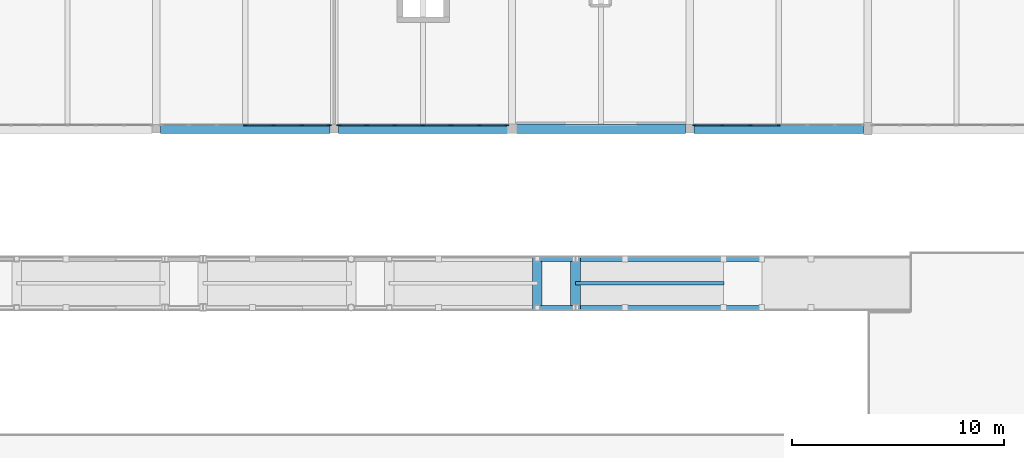
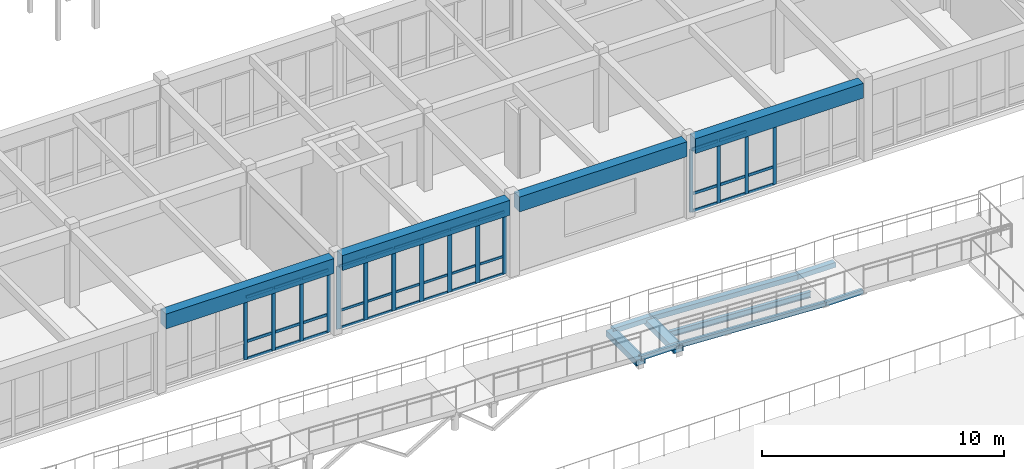
# One storey, part 43 of 89: 56 members, 7 beams, 3 elements without a shape of their own.
"""IFC4 building model written with IfcOpenShell, lengths in metres."""

import ifcopenshell
import ifcopenshell.guid

model = None  # the IFC model being written
_history = None  # IfcOwnerHistory: only IFC2X3 demands one
_inside = {}  # id of a spatial element -> (the spatial element, [elements in it])
_under = {}  # id of a project, library or spatial element -> (it, [spatial elements below it])
_declared = {}  # id of a project -> (the project, [libraries it declares])
_typed = {}  # id of a type object -> (the type object, [elements of that type])
_made_of = {}  # id of a material, layer set ... -> (it, [elements and type objects made of it])


def new_model(schema):
    """Start an empty IFC model of exactly this schema.

    Asked for "IFC4X3", IfcOpenShell would pick the latest addendum, in which some entities
    have other attributes; the version numbers below select the first issue.
    IFC2X3 requires an IfcOwnerHistory on every rooted entity: one is made here for all.
    """
    global model, _history
    if schema == "IFC4X3":
        model = ifcopenshell.file(schema_version=(4, 3, 0, 0))
    else:
        model = ifcopenshell.file(schema=schema)
    _inside.clear()
    _under.clear()
    _declared.clear()
    _typed.clear()
    _made_of.clear()
    _history = None
    if model.schema == "IFC2X3":
        org = make("IfcOrganization", Name="unknown")
        user = make(
            "IfcPersonAndOrganization",
            ThePerson=make("IfcPerson", FamilyName="unknown"),
            TheOrganization=org,
        )
        app = make(
            "IfcApplication",
            ApplicationDeveloper=org,
            Version="unknown",
            ApplicationFullName="unknown",
            ApplicationIdentifier="unknown",
        )
        _history = make(
            "IfcOwnerHistory",
            OwningUser=user,
            OwningApplication=app,
            ChangeAction="ADDED",
            CreationDate=0,
        )
    return model


def make(cls, **values):
    """One entity of the class cls with the attributes given. An attribute that is None is left unset."""
    return model.create_entity(
        cls, **{name: value for name, value in values.items() if value is not None}
    )


def rooted(cls, **values):
    """An entity with a GlobalId (a new one), such as an element, a storey or a relation."""
    return make(cls, GlobalId=ifcopenshell.guid.new(), OwnerHistory=_history, **values)


def si_unit(unit_type, name, prefix=None):
    """IfcSIUnit, for example si_unit("LENGTHUNIT", "METRE", prefix="MILLI")."""
    return make("IfcSIUnit", UnitType=unit_type, Prefix=prefix, Name=name)


def assignment(units):
    """IfcUnitAssignment: the units of a project."""
    return None if units is None else make("IfcUnitAssignment", Units=units)


def point(xyz):
    """IfcCartesianPoint."""
    return None if xyz is None else make("IfcCartesianPoint", Coordinates=xyz)


def direction(xyz):
    """IfcDirection."""
    return None if xyz is None else make("IfcDirection", DirectionRatios=xyz)


def frame(location, z_axis=None, x_axis=None):
    """IfcAxis2Placement3D, a coordinate frame: its origin and axes. An axis left out is left unset."""
    return make(
        "IfcAxis2Placement3D",
        Location=point(location),
        Axis=direction(z_axis),
        RefDirection=direction(x_axis),
    )


def frame_2d(location, x_axis=None):
    """IfcAxis2Placement2D, a coordinate frame in the plane: its origin and x axis."""
    return make(
        "IfcAxis2Placement2D", Location=point(location), RefDirection=direction(x_axis)
    )


def origin():
    """The frame at (0, 0, 0) with its axes left unset."""
    return frame((0.0, 0.0, 0.0))


def origin_2d():
    """The frame at (0, 0) in the plane with its x axis left unset."""
    return frame_2d((0.0, 0.0))


def place(relative_to, where):
    """IfcLocalPlacement: puts the frame where relative to a parent placement (None: the world)."""
    return make(
        "IfcLocalPlacement", PlacementRelTo=relative_to, RelativePlacement=where
    )


def context(
    kind, dimensions, precision=None, world=None, true_north=None, identifier=None
):
    """IfcGeometricRepresentationContext, for example the 3D "Model" context."""
    return make(
        "IfcGeometricRepresentationContext",
        ContextIdentifier=identifier,
        ContextType=kind,
        CoordinateSpaceDimension=dimensions,
        Precision=precision,
        WorldCoordinateSystem=world,
        TrueNorth=true_north,
    )


def subcontext(parent, identifier, kind, view, scale=None):
    """IfcGeometricRepresentationSubContext, for example "Body" below "Model"."""
    return make(
        "IfcGeometricRepresentationSubContext",
        ContextIdentifier=identifier,
        ContextType=kind,
        ParentContext=parent,
        TargetScale=scale,
        TargetView=view,
    )


def project(units=None, contexts=None):
    """IfcProject with its units and contexts."""
    return rooted(
        "IfcProject",
        Name="project",
        RepresentationContexts=contexts,
        UnitsInContext=assignment(units),
    )


def spatial(cls, under=None, at=None, **own):
    """A site, building, storey or space (cls), placed at a placement, below another one or the project."""
    s = rooted(cls, ObjectPlacement=at, **own)
    if under is not None:
        _under.setdefault(under.id(), (under, []))[1].append(s)
    return s


def profile(cls, at=None, kind="AREA", **sizes):
    """A parametric profile (cls). Its sizes go by their IFC names, for example OverallWidth=200.0."""
    return make(cls, ProfileType=kind, Position=at, **sizes)


def rectangle(**sizes):
    """IfcRectangleProfileDef."""
    return profile("IfcRectangleProfileDef", **sizes)


def hollow_rectangle(**sizes):
    """IfcRectangleHollowProfileDef."""
    return profile("IfcRectangleHollowProfileDef", **sizes)


def i_section(**sizes):
    """IfcIShapeProfileDef."""
    return profile("IfcIShapeProfileDef", **sizes)


def extrude(swept, where, along, depth):
    """IfcExtrudedAreaSolid: the profile swept, set in the frame where, extruded along a direction by depth."""
    return make(
        "IfcExtrudedAreaSolid",
        SweptArea=swept,
        Position=where,
        ExtrudedDirection=direction(along),
        Depth=depth,
    )


def shape(context_of_items, identifier, shape_type, items):
    """IfcShapeRepresentation: the items that make up one representation, for example the "Body"."""
    return make(
        "IfcShapeRepresentation",
        ContextOfItems=context_of_items,
        RepresentationIdentifier=identifier,
        RepresentationType=shape_type,
        Items=items,
    )


def material(Name=None, Category=None):
    """IfcMaterial."""
    return make("IfcMaterial", Name=Name, Category=Category)


def material_profile(
    of_material, cross_section, Name=None, Category=None, Priority=None
):
    """IfcMaterialProfile: a cross section and its material."""
    return make(
        "IfcMaterialProfile",
        Name=Name,
        Material=of_material,
        Profile=cross_section,
        Priority=Priority,
        Category=Category,
    )


def profile_set(profiles, Name=None, composite=None):
    """IfcMaterialProfileSet."""
    return make(
        "IfcMaterialProfileSet",
        Name=Name,
        MaterialProfiles=profiles,
        CompositeProfile=composite,
    )


def made_of(thing, what):
    """Note that an element or type object is made of a material, layer set ...; save() writes the relation."""
    if what is not None:
        _made_of.setdefault(what.id(), (what, []))[1].append(thing)
    return thing


def type_object(cls, material=None, **own):
    """A type object (cls), such as IfcWallType, which elements share."""
    return made_of(rooted(cls, **own), material)


def element(
    cls,
    number,
    at=None,
    inside=None,
    cuts=None,
    type_object=None,
    material=None,
    context=None,
    identifier="Body",
    shape_type=None,
    held_by="IfcProductDefinitionShape",
    body=None,
    shapes=None,
    **own,
):
    """One element of the class cls, such as IfcWall. Its Tag is "e" and its number.

    at: its placement. inside: the storey or other place that contains it. cuts: it is an
    opening in that element (IfcRelVoidsElement). A single representation is given by context,
    identifier, shape_type and body (its items); several are given by shapes. held_by: the class
    of the entity that holds the representations. save() writes the other relations.
    """
    e = rooted(cls, Tag="e%d" % number, ObjectPlacement=at, **own)
    if body is not None:
        shapes = [shape(context, identifier, shape_type, body)]
    if shapes is not None:
        e.Representation = make(held_by, Representations=shapes)
    if inside is not None:
        _inside.setdefault(inside.id(), (inside, []))[1].append(e)
    if cuts is not None:
        rooted(
            "IfcRelVoidsElement", RelatingBuildingElement=cuts, RelatedOpeningElement=e
        )
    if type_object is not None:
        _typed.setdefault(type_object.id(), (type_object, []))[1].append(e)
    return made_of(e, material)


def aggregate(whole, parts):
    """IfcRelAggregates: a whole, such as a stair, and the parts it consists of."""
    return rooted("IfcRelAggregates", RelatingObject=whole, RelatedObjects=parts)


def save(model, path):
    """Write the relations noted so far, then the file.

    IfcRelAggregates (storeys below a building ...), IfcRelContainedInSpatialStructure (elements
    in a storey), IfcRelDefinesByType, IfcRelAssociatesMaterial and IfcRelDeclares: one each for
    every whole, place, type object, material and project.
    """
    for whole, parts in _under.values():
        aggregate(whole, parts)
    for where, things in _inside.values():
        rooted(
            "IfcRelContainedInSpatialStructure",
            RelatedElements=things,
            RelatingStructure=where,
        )
    for kind, things in _typed.values():
        rooted("IfcRelDefinesByType", RelatedObjects=things, RelatingType=kind)
    for what, things in _made_of.values():
        rooted("IfcRelAssociatesMaterial", RelatedObjects=things, RelatingMaterial=what)
    for by, libraries in _declared.values():
        rooted("IfcRelDeclares", RelatingContext=by, RelatedDefinitions=libraries)
    model.write(path)


model = new_model("IFC4")

# Units and contexts
model_context = context("Model", 3, precision=1e-05, world=origin(), true_north=direction((0.0, 1.0)))
body_context = subcontext(model_context, "Body", "Model", "MODEL_VIEW")
ifc_project = project(units=[si_unit("LENGTHUNIT", "METRE"), si_unit("AREAUNIT", "SQUARE_METRE"), si_unit("VOLUMEUNIT", "CUBIC_METRE"), si_unit("PLANEANGLEUNIT", "RADIAN"), si_unit("MASSUNIT", "GRAM", prefix="KILO")], contexts=[model_context])

# Site, building, storey
site_placement = place(None, origin())
site = spatial("IfcSite", under=ifc_project, at=site_placement, CompositionType="ELEMENT")
building_placement = place(site_placement, origin())
building = spatial("IfcBuilding", under=site, at=building_placement, Name="Malvenik Polytechnic", CompositionType="ELEMENT")
storey_placement = place(building_placement, frame((0.0, 0.0, 13.5)))
storey = spatial("IfcBuildingStorey", under=building, at=storey_placement, Name="L03", CompositionType="ELEMENT", Elevation=13.5)

# Curtain wall, members
ifc_material_1 = material(Name="Anodised aluminium 6060-T6", Category="aluminium")
curtain_wall_type = type_object("IfcCurtainWallType", Name="ARC-CW-CW-02", PredefinedType="NOTDEFINED", material=ifc_material_1)
curtain_wall_1_placement = place(storey_placement, origin())
curtain_wall_1 = element("IfcCurtainWall", 1, at=curtain_wall_1_placement, inside=storey, type_object=curtain_wall_type, Name="Unitised Curtain Wall CW-02 L03 #194", PredefinedType="NOTDEFINED")
ifc_material_2 = material(Name="Anodised aluminium", Category="aluminium")
ifc_material_profile_1 = material_profile(ifc_material_2, rectangle(XDim=0.06005859375, YDim=0.159912109375, at=origin_2d()), Name="ALU MULLION 60x160")
ifc_profile_set_1 = profile_set([ifc_material_profile_1], Name="Anodised aluminium")
member_type_1 = type_object("IfcMemberType", Name="ARC-CWM-160", PredefinedType="MULLION", material=ifc_profile_set_1)
member_1_placement = place(storey_placement, frame((121.800048828125, 79.3701171875, 0.0), z_axis=(0.0, 0.0, 1.0), x_axis=(0.0, -1.0, 0.0)))
member_1 = element("IfcMember", 2, at=member_1_placement, type_object=member_type_1, Name="CW-02 mullion 4", PredefinedType="MULLION", context=body_context, shape_type="SweptSolid", body=[
    extrude(rectangle(XDim=0.06005859375, YDim=0.159912109375, at=origin_2d()), origin(), (0.0, 0.0, 1.0), 3.159912109375),
])
member_2_placement = place(storey_placement, frame((120.466064453125, 79.3701171875, 0.0), z_axis=(0.0, 0.0, 1.0), x_axis=(0.0, -1.0, 0.0)))
member_2 = element("IfcMember", 3, at=member_2_placement, type_object=member_type_1, Name="CW-02 mullion 5", PredefinedType="MULLION", context=body_context, shape_type="SweptSolid", body=[
    extrude(rectangle(XDim=0.06005859375, YDim=0.159912109375, at=origin_2d()), origin(), (0.0, 0.0, 1.0), 3.159912109375),
])
member_3_placement = place(storey_placement, frame((119.132080078125, 79.3701171875, 0.0), z_axis=(0.0, 0.0, 1.0), x_axis=(0.0, -1.0, 0.0)))
member_3 = element("IfcMember", 4, at=member_3_placement, type_object=member_type_1, Name="CW-02 mullion 6", PredefinedType="MULLION", context=body_context, shape_type="SweptSolid", body=[
    extrude(rectangle(XDim=0.06005859375, YDim=0.159912109375, at=origin_2d()), origin(), (0.0, 0.0, 1.0), 3.159912109375),
])
member_4_placement = place(storey_placement, frame((117.827880859375, 79.3701171875, 0.0), z_axis=(0.0, 0.0, 1.0), x_axis=(0.0, -1.0, 0.0)))
member_4 = element("IfcMember", 5, at=member_4_placement, type_object=member_type_1, Name="CW-02 mullion 7", PredefinedType="MULLION", context=body_context, shape_type="SweptSolid", body=[
    extrude(rectangle(XDim=0.06005859375, YDim=0.159912109375, at=origin_2d()), origin(), (0.0, 0.0, 1.0), 3.159912109375),
])

curtain_wall_2_placement = place(storey_placement, origin())
curtain_wall_2 = element("IfcCurtainWall", 6, at=curtain_wall_2_placement, inside=storey, type_object=curtain_wall_type, Name="Unitised Curtain Wall CW-02 L03 #196", PredefinedType="NOTDEFINED")
ifc_material_profile_2 = material_profile(ifc_material_2, rectangle(XDim=0.06005859375, YDim=0.179931640625, at=origin_2d()), Name="ALU MULLION 60x180")
ifc_profile_set_2 = profile_set([ifc_material_profile_2], Name="Anodised aluminium")
member_type_2 = type_object("IfcMemberType", Name="ARC-CWM-180", PredefinedType="MULLION", material=ifc_profile_set_2)
member_5_placement = place(storey_placement, frame((100.572021484375, 79.3701171875, 0.0), z_axis=(0.0, 0.0, 1.0), x_axis=(0.0, -1.0, 0.0)))
member_5 = element("IfcMember", 7, at=member_5_placement, type_object=member_type_2, Name="CW-02 mullion 1", PredefinedType="MULLION", context=body_context, shape_type="SweptSolid", body=[
    extrude(rectangle(XDim=0.06005859375, YDim=0.179931640625, at=origin_2d()), origin(), (0.0, 0.0, 1.0), 3.159912109375),
])
member_6_placement = place(storey_placement, frame((99.26806640625, 79.3701171875, 0.0), z_axis=(0.0, 0.0, 1.0), x_axis=(0.0, -1.0, 0.0)))
member_6 = element("IfcMember", 8, at=member_6_placement, type_object=member_type_2, Name="CW-02 mullion 2", PredefinedType="MULLION", context=body_context, shape_type="SweptSolid", body=[
    extrude(rectangle(XDim=0.06005859375, YDim=0.179931640625, at=origin_2d()), origin(), (0.0, 0.0, 1.0), 3.159912109375),
])
member_7_placement = place(storey_placement, frame((97.93408203125, 79.3701171875, 0.0), z_axis=(0.0, 0.0, 1.0), x_axis=(0.0, -1.0, 0.0)))
member_7 = element("IfcMember", 9, at=member_7_placement, type_object=member_type_2, Name="CW-02 mullion 3", PredefinedType="MULLION", context=body_context, shape_type="SweptSolid", body=[
    extrude(rectangle(XDim=0.06005859375, YDim=0.179931640625, at=origin_2d()), origin(), (0.0, 0.0, 1.0), 3.159912109375),
])
member_8_placement = place(storey_placement, frame((96.60009765625, 79.3701171875, 0.0), z_axis=(0.0, 0.0, 1.0), x_axis=(0.0, -1.0, 0.0)))
member_8 = element("IfcMember", 10, at=member_8_placement, type_object=member_type_2, Name="CW-02 mullion 4", PredefinedType="MULLION", context=body_context, shape_type="SweptSolid", body=[
    extrude(rectangle(XDim=0.06005859375, YDim=0.179931640625, at=origin_2d()), origin(), (0.0, 0.0, 1.0), 3.159912109375),
])

curtain_wall_3_placement = place(storey_placement, origin())
curtain_wall_3 = element("IfcCurtainWall", 11, at=curtain_wall_3_placement, inside=storey, type_object=curtain_wall_type, Name="Unitised Curtain Wall CW-02 L03 #195", PredefinedType="NOTDEFINED")
ifc_material_profile_3 = material_profile(ifc_material_2, rectangle(XDim=0.06005859375, YDim=0.199951171875, at=origin_2d()), Name="ALU MULLION 60x200")
ifc_profile_set_3 = profile_set([ifc_material_profile_3], Name="Anodised aluminium")
member_type_3 = type_object("IfcMemberType", Name="ARC-CWM-200", PredefinedType="MULLION", material=ifc_profile_set_3)
member_9_placement = place(storey_placement, frame((108.947021484375, 79.3701171875, 0.0), z_axis=(0.0, 0.0, 1.0), x_axis=(0.0, -1.0, 0.0)))
member_9 = element("IfcMember", 12, at=member_9_placement, type_object=member_type_3, Name="CW-02 mullion 1", PredefinedType="MULLION", context=body_context, shape_type="SweptSolid", body=[
    extrude(rectangle(XDim=0.06005859375, YDim=0.199951171875, at=origin_2d()), origin(), (0.0, 0.0, 1.0), 3.159912109375),
])
member_10_placement = place(storey_placement, frame((107.647216796875, 79.3701171875, 0.0), z_axis=(0.0, 0.0, 1.0), x_axis=(0.0, -1.0, 0.0)))
member_10 = element("IfcMember", 13, at=member_10_placement, type_object=member_type_3, Name="CW-02 mullion 2", PredefinedType="MULLION", context=body_context, shape_type="SweptSolid", body=[
    extrude(rectangle(XDim=0.06005859375, YDim=0.199951171875, at=origin_2d()), origin(), (0.0, 0.0, 1.0), 3.159912109375),
])
member_11_placement = place(storey_placement, frame((106.3173828125, 79.3701171875, 0.0), z_axis=(0.0, 0.0, 1.0), x_axis=(0.0, -1.0, 0.0)))
member_11 = element("IfcMember", 14, at=member_11_placement, type_object=member_type_3, Name="CW-02 mullion 3", PredefinedType="MULLION", context=body_context, shape_type="SweptSolid", body=[
    extrude(rectangle(XDim=0.06005859375, YDim=0.199951171875, at=origin_2d()), origin(), (0.0, 0.0, 1.0), 3.159912109375),
])
member_12_placement = place(storey_placement, frame((104.987548828125, 79.3701171875, 0.0), z_axis=(0.0, 0.0, 1.0), x_axis=(0.0, -1.0, 0.0)))
member_12 = element("IfcMember", 15, at=member_12_placement, type_object=member_type_3, Name="CW-02 mullion 4", PredefinedType="MULLION", context=body_context, shape_type="SweptSolid", body=[
    extrude(rectangle(XDim=0.06005859375, YDim=0.199951171875, at=origin_2d()), origin(), (0.0, 0.0, 1.0), 3.159912109375),
])
member_13_placement = place(storey_placement, frame((103.65771484375, 79.3701171875, 0.0), z_axis=(0.0, 0.0, 1.0), x_axis=(0.0, -1.0, 0.0)))
member_13 = element("IfcMember", 16, at=member_13_placement, type_object=member_type_3, Name="CW-02 mullion 5", PredefinedType="MULLION", context=body_context, shape_type="SweptSolid", body=[
    extrude(rectangle(XDim=0.06005859375, YDim=0.199951171875, at=origin_2d()), origin(), (0.0, 0.0, 1.0), 3.159912109375),
])
member_14_placement = place(storey_placement, frame((102.327880859375, 79.3701171875, 0.0), z_axis=(0.0, 0.0, 1.0), x_axis=(0.0, -1.0, 0.0)))
member_14 = element("IfcMember", 17, at=member_14_placement, type_object=member_type_3, Name="CW-02 mullion 6", PredefinedType="MULLION", context=body_context, shape_type="SweptSolid", body=[
    extrude(rectangle(XDim=0.06005859375, YDim=0.199951171875, at=origin_2d()), origin(), (0.0, 0.0, 1.0), 3.159912109375),
])
member_15_placement = place(storey_placement, frame((101.028076171875, 79.3701171875, 0.0), z_axis=(0.0, 0.0, 1.0), x_axis=(0.0, -1.0, 0.0)))
member_15 = element("IfcMember", 18, at=member_15_placement, type_object=member_type_3, Name="CW-02 mullion 7", PredefinedType="MULLION", context=body_context, shape_type="SweptSolid", body=[
    extrude(rectangle(XDim=0.06005859375, YDim=0.199951171875, at=origin_2d()), origin(), (0.0, 0.0, 1.0), 3.159912109375),
])
ifc_material_profile_4 = material_profile(ifc_material_2, rectangle(XDim=0.06005859375, YDim=0.1201171875, at=origin_2d()), Name="ALU TRANSOM 60x120")
ifc_profile_set_4 = profile_set([ifc_material_profile_4], Name="Anodised aluminium")
member_type_4 = type_object("IfcMemberType", Name="ARC-CWT-120", PredefinedType="USERDEFINED", material=ifc_profile_set_4)
member_16_placement = place(storey_placement, frame((108.9169921875, 79.3701171875, 0.030029296875), z_axis=(-1.0, 0.0, 0.0), x_axis=(0.0, -1.0, 0.0)))
member_16 = element("IfcMember", 19, at=member_16_placement, type_object=member_type_4, Name="CW-02 transom 1.1", ObjectType="TRANSOM", PredefinedType="USERDEFINED", context=body_context, shape_type="SweptSolid", body=[
    extrude(rectangle(XDim=0.06005859375, YDim=0.1201171875, at=origin_2d()), origin(), (0.0, 0.0, 1.0), 1.23974609375),
])
member_17_placement = place(storey_placement, frame((108.9169921875, 79.3701171875, 0.89990234375), z_axis=(-1.0, 0.0, 0.0), x_axis=(0.0, -1.0, 0.0)))
member_17 = element("IfcMember", 20, at=member_17_placement, type_object=member_type_4, Name="CW-02 transom 1.2", ObjectType="TRANSOM", PredefinedType="USERDEFINED", context=body_context, shape_type="SweptSolid", body=[
    extrude(rectangle(XDim=0.06005859375, YDim=0.1201171875, at=origin_2d()), origin(), (0.0, 0.0, 1.0), 1.23974609375),
])
member_18_placement = place(storey_placement, frame((108.9169921875, 79.3701171875, 3.1298828125), z_axis=(-1.0, 0.0, 0.0), x_axis=(0.0, -1.0, 0.0)))
member_18 = element("IfcMember", 21, at=member_18_placement, type_object=member_type_4, Name="CW-02 transom 1.3", ObjectType="TRANSOM", PredefinedType="USERDEFINED", context=body_context, shape_type="SweptSolid", body=[
    extrude(rectangle(XDim=0.06005859375, YDim=0.1201171875, at=origin_2d()), origin(), (0.0, 0.0, 1.0), 1.23974609375),
])
member_19_placement = place(storey_placement, frame((107.6171875, 79.3701171875, 0.030029296875), z_axis=(-1.0, 0.0, 0.0), x_axis=(0.0, -1.0, 0.0)))
member_19 = element("IfcMember", 22, at=member_19_placement, type_object=member_type_4, Name="CW-02 transom 2.1", ObjectType="TRANSOM", PredefinedType="USERDEFINED", context=body_context, shape_type="SweptSolid", body=[
    extrude(rectangle(XDim=0.06005859375, YDim=0.1201171875, at=origin_2d()), origin(), (0.0, 0.0, 1.0), 1.269775390625),
])
member_20_placement = place(storey_placement, frame((107.6171875, 79.3701171875, 0.89990234375), z_axis=(-1.0, 0.0, 0.0), x_axis=(0.0, -1.0, 0.0)))
member_20 = element("IfcMember", 23, at=member_20_placement, type_object=member_type_4, Name="CW-02 transom 2.2", ObjectType="TRANSOM", PredefinedType="USERDEFINED", context=body_context, shape_type="SweptSolid", body=[
    extrude(rectangle(XDim=0.06005859375, YDim=0.1201171875, at=origin_2d()), origin(), (0.0, 0.0, 1.0), 1.269775390625),
])
member_21_placement = place(storey_placement, frame((107.6171875, 79.3701171875, 3.1298828125), z_axis=(-1.0, 0.0, 0.0), x_axis=(0.0, -1.0, 0.0)))
member_21 = element("IfcMember", 24, at=member_21_placement, type_object=member_type_4, Name="CW-02 transom 2.3", ObjectType="TRANSOM", PredefinedType="USERDEFINED", context=body_context, shape_type="SweptSolid", body=[
    extrude(rectangle(XDim=0.06005859375, YDim=0.1201171875, at=origin_2d()), origin(), (0.0, 0.0, 1.0), 1.269775390625),
])
member_22_placement = place(storey_placement, frame((106.287353515625, 79.3701171875, 0.030029296875), z_axis=(-1.0, 0.0, 0.0), x_axis=(0.0, -1.0, 0.0)))
member_22 = element("IfcMember", 25, at=member_22_placement, type_object=member_type_4, Name="CW-02 transom 3.1", ObjectType="TRANSOM", PredefinedType="USERDEFINED", context=body_context, shape_type="SweptSolid", body=[
    extrude(rectangle(XDim=0.06005859375, YDim=0.1201171875, at=origin_2d()), origin(), (0.0, 0.0, 1.0), 1.269775390625),
])
member_23_placement = place(storey_placement, frame((106.287353515625, 79.3701171875, 0.89990234375), z_axis=(-1.0, 0.0, 0.0), x_axis=(0.0, -1.0, 0.0)))
member_23 = element("IfcMember", 26, at=member_23_placement, type_object=member_type_4, Name="CW-02 transom 3.2", ObjectType="TRANSOM", PredefinedType="USERDEFINED", context=body_context, shape_type="SweptSolid", body=[
    extrude(rectangle(XDim=0.06005859375, YDim=0.1201171875, at=origin_2d()), origin(), (0.0, 0.0, 1.0), 1.269775390625),
])
member_24_placement = place(storey_placement, frame((106.287353515625, 79.3701171875, 3.1298828125), z_axis=(-1.0, 0.0, 0.0), x_axis=(0.0, -1.0, 0.0)))
member_24 = element("IfcMember", 27, at=member_24_placement, type_object=member_type_4, Name="CW-02 transom 3.3", ObjectType="TRANSOM", PredefinedType="USERDEFINED", context=body_context, shape_type="SweptSolid", body=[
    extrude(rectangle(XDim=0.06005859375, YDim=0.1201171875, at=origin_2d()), origin(), (0.0, 0.0, 1.0), 1.269775390625),
])
member_25_placement = place(storey_placement, frame((104.95751953125, 79.3701171875, 0.030029296875), z_axis=(-1.0, 0.0, 0.0), x_axis=(0.0, -1.0, 0.0)))
member_25 = element("IfcMember", 28, at=member_25_placement, type_object=member_type_4, Name="CW-02 transom 4.1", ObjectType="TRANSOM", PredefinedType="USERDEFINED", context=body_context, shape_type="SweptSolid", body=[
    extrude(rectangle(XDim=0.06005859375, YDim=0.1201171875, at=origin_2d()), origin(), (0.0, 0.0, 1.0), 1.269775390625),
])
member_26_placement = place(storey_placement, frame((104.95751953125, 79.3701171875, 0.89990234375), z_axis=(-1.0, 0.0, 0.0), x_axis=(0.0, -1.0, 0.0)))
member_26 = element("IfcMember", 29, at=member_26_placement, type_object=member_type_4, Name="CW-02 transom 4.2", ObjectType="TRANSOM", PredefinedType="USERDEFINED", context=body_context, shape_type="SweptSolid", body=[
    extrude(rectangle(XDim=0.06005859375, YDim=0.1201171875, at=origin_2d()), origin(), (0.0, 0.0, 1.0), 1.269775390625),
])
member_27_placement = place(storey_placement, frame((104.95751953125, 79.3701171875, 3.1298828125), z_axis=(-1.0, 0.0, 0.0), x_axis=(0.0, -1.0, 0.0)))
member_27 = element("IfcMember", 30, at=member_27_placement, type_object=member_type_4, Name="CW-02 transom 4.3", ObjectType="TRANSOM", PredefinedType="USERDEFINED", context=body_context, shape_type="SweptSolid", body=[
    extrude(rectangle(XDim=0.06005859375, YDim=0.1201171875, at=origin_2d()), origin(), (0.0, 0.0, 1.0), 1.269775390625),
])
member_28_placement = place(storey_placement, frame((103.627685546875, 79.3701171875, 0.030029296875), z_axis=(-1.0, 0.0, 0.0), x_axis=(0.0, -1.0, 0.0)))
member_28 = element("IfcMember", 31, at=member_28_placement, type_object=member_type_4, Name="CW-02 transom 5.1", ObjectType="TRANSOM", PredefinedType="USERDEFINED", context=body_context, shape_type="SweptSolid", body=[
    extrude(rectangle(XDim=0.06005859375, YDim=0.1201171875, at=origin_2d()), origin(), (0.0, 0.0, 1.0), 1.269775390625),
])
member_29_placement = place(storey_placement, frame((103.627685546875, 79.3701171875, 0.89990234375), z_axis=(-1.0, 0.0, 0.0), x_axis=(0.0, -1.0, 0.0)))
member_29 = element("IfcMember", 32, at=member_29_placement, type_object=member_type_4, Name="CW-02 transom 5.2", ObjectType="TRANSOM", PredefinedType="USERDEFINED", context=body_context, shape_type="SweptSolid", body=[
    extrude(rectangle(XDim=0.06005859375, YDim=0.1201171875, at=origin_2d()), origin(), (0.0, 0.0, 1.0), 1.269775390625),
])
member_30_placement = place(storey_placement, frame((103.627685546875, 79.3701171875, 3.1298828125), z_axis=(-1.0, 0.0, 0.0), x_axis=(0.0, -1.0, 0.0)))
member_30 = element("IfcMember", 33, at=member_30_placement, type_object=member_type_4, Name="CW-02 transom 5.3", ObjectType="TRANSOM", PredefinedType="USERDEFINED", context=body_context, shape_type="SweptSolid", body=[
    extrude(rectangle(XDim=0.06005859375, YDim=0.1201171875, at=origin_2d()), origin(), (0.0, 0.0, 1.0), 1.269775390625),
])
member_31_placement = place(storey_placement, frame((102.2978515625, 79.3701171875, 0.030029296875), z_axis=(-1.0, 0.0, 0.0), x_axis=(0.0, -1.0, 0.0)))
member_31 = element("IfcMember", 34, at=member_31_placement, type_object=member_type_4, Name="CW-02 transom 6.1", ObjectType="TRANSOM", PredefinedType="USERDEFINED", context=body_context, shape_type="SweptSolid", body=[
    extrude(rectangle(XDim=0.06005859375, YDim=0.1201171875, at=origin_2d()), origin(), (0.0, 0.0, 1.0), 1.23974609375),
])
member_32_placement = place(storey_placement, frame((102.2978515625, 79.3701171875, 0.89990234375), z_axis=(-1.0, 0.0, 0.0), x_axis=(0.0, -1.0, 0.0)))
member_32 = element("IfcMember", 35, at=member_32_placement, type_object=member_type_4, Name="CW-02 transom 6.2", ObjectType="TRANSOM", PredefinedType="USERDEFINED", context=body_context, shape_type="SweptSolid", body=[
    extrude(rectangle(XDim=0.06005859375, YDim=0.1201171875, at=origin_2d()), origin(), (0.0, 0.0, 1.0), 1.23974609375),
])
member_33_placement = place(storey_placement, frame((102.2978515625, 79.3701171875, 3.1298828125), z_axis=(-1.0, 0.0, 0.0), x_axis=(0.0, -1.0, 0.0)))
member_33 = element("IfcMember", 36, at=member_33_placement, type_object=member_type_4, Name="CW-02 transom 6.3", ObjectType="TRANSOM", PredefinedType="USERDEFINED", context=body_context, shape_type="SweptSolid", body=[
    extrude(rectangle(XDim=0.06005859375, YDim=0.1201171875, at=origin_2d()), origin(), (0.0, 0.0, 1.0), 1.23974609375),
])
aggregate(curtain_wall_3, [member_9, member_10, member_11, member_12, member_13, member_14, member_15, member_16, member_17, member_18, member_19, member_20, member_21, member_22, member_23, member_24, member_25, member_26, member_27, member_28, member_29, member_30, member_31, member_32, member_33])

# Member
ifc_material_profile_5 = material_profile(ifc_material_2, rectangle(XDim=0.06005859375, YDim=0.139892578125, at=origin_2d()), Name="ALU TRANSOM 60x140")
ifc_profile_set_5 = profile_set([ifc_material_profile_5], Name="Anodised aluminium")
member_type_5 = type_object("IfcMemberType", Name="ARC-CWT-140", PredefinedType="USERDEFINED", material=ifc_profile_set_5)
member_34_placement = place(storey_placement, frame((121.77001953125, 79.3701171875, 0.030029296875), z_axis=(-1.0, 0.0, 0.0), x_axis=(0.0, -1.0, 0.0)))
member_34 = element("IfcMember", 37, at=member_34_placement, type_object=member_type_5, Name="CW-02 transom 4.1", ObjectType="TRANSOM", PredefinedType="USERDEFINED", context=body_context, shape_type="SweptSolid", body=[
    extrude(rectangle(XDim=0.06005859375, YDim=0.139892578125, at=origin_2d()), origin(), (0.0, 0.0, 1.0), 1.27392578125),
])

member_35_placement = place(storey_placement, frame((121.77001953125, 79.3701171875, 0.89990234375), z_axis=(-1.0, 0.0, 0.0), x_axis=(0.0, -1.0, 0.0)))
member_35 = element("IfcMember", 38, at=member_35_placement, type_object=member_type_5, Name="CW-02 transom 4.2", ObjectType="TRANSOM", PredefinedType="USERDEFINED", context=body_context, shape_type="SweptSolid", body=[
    extrude(rectangle(XDim=0.06005859375, YDim=0.139892578125, at=origin_2d()), origin(), (0.0, 0.0, 1.0), 1.27392578125),
])

member_36_placement = place(storey_placement, frame((120.43603515625, 79.3701171875, 0.030029296875), z_axis=(-1.0, 0.0, 0.0), x_axis=(0.0, -1.0, 0.0)))
member_36 = element("IfcMember", 39, at=member_36_placement, type_object=member_type_5, Name="CW-02 transom 5.1", ObjectType="TRANSOM", PredefinedType="USERDEFINED", context=body_context, shape_type="SweptSolid", body=[
    extrude(rectangle(XDim=0.06005859375, YDim=0.139892578125, at=origin_2d()), origin(), (0.0, 0.0, 1.0), 1.27392578125),
])

member_37_placement = place(storey_placement, frame((120.43603515625, 79.3701171875, 0.89990234375), z_axis=(-1.0, 0.0, 0.0), x_axis=(0.0, -1.0, 0.0)))
member_37 = element("IfcMember", 40, at=member_37_placement, type_object=member_type_5, Name="CW-02 transom 5.2", ObjectType="TRANSOM", PredefinedType="USERDEFINED", context=body_context, shape_type="SweptSolid", body=[
    extrude(rectangle(XDim=0.06005859375, YDim=0.139892578125, at=origin_2d()), origin(), (0.0, 0.0, 1.0), 1.27392578125),
])

member_38_placement = place(storey_placement, frame((120.43603515625, 79.3701171875, 3.1298828125), z_axis=(-1.0, 0.0, 0.0), x_axis=(0.0, -1.0, 0.0)))
member_38 = element("IfcMember", 41, at=member_38_placement, type_object=member_type_5, Name="CW-02 transom 5.3", ObjectType="TRANSOM", PredefinedType="USERDEFINED", context=body_context, shape_type="SweptSolid", body=[
    extrude(rectangle(XDim=0.06005859375, YDim=0.139892578125, at=origin_2d()), origin(), (0.0, 0.0, 1.0), 1.27392578125),
])

member_39_placement = place(storey_placement, frame((119.10205078125, 79.3701171875, 0.030029296875), z_axis=(-1.0, 0.0, 0.0), x_axis=(0.0, -1.0, 0.0)))
member_39 = element("IfcMember", 42, at=member_39_placement, type_object=member_type_5, Name="CW-02 transom 6.1", ObjectType="TRANSOM", PredefinedType="USERDEFINED", context=body_context, shape_type="SweptSolid", body=[
    extrude(rectangle(XDim=0.06005859375, YDim=0.139892578125, at=origin_2d()), origin(), (0.0, 0.0, 1.0), 1.244140625),
])

member_40_placement = place(storey_placement, frame((119.10205078125, 79.3701171875, 0.89990234375), z_axis=(-1.0, 0.0, 0.0), x_axis=(0.0, -1.0, 0.0)))
member_40 = element("IfcMember", 43, at=member_40_placement, type_object=member_type_5, Name="CW-02 transom 6.2", ObjectType="TRANSOM", PredefinedType="USERDEFINED", context=body_context, shape_type="SweptSolid", body=[
    extrude(rectangle(XDim=0.06005859375, YDim=0.139892578125, at=origin_2d()), origin(), (0.0, 0.0, 1.0), 1.244140625),
])

member_41_placement = place(storey_placement, frame((119.10205078125, 79.3701171875, 3.1298828125), z_axis=(-1.0, 0.0, 0.0), x_axis=(0.0, -1.0, 0.0)))
member_41 = element("IfcMember", 44, at=member_41_placement, type_object=member_type_5, Name="CW-02 transom 6.3", ObjectType="TRANSOM", PredefinedType="USERDEFINED", context=body_context, shape_type="SweptSolid", body=[
    extrude(rectangle(XDim=0.06005859375, YDim=0.139892578125, at=origin_2d()), origin(), (0.0, 0.0, 1.0), 1.244140625),
])

aggregate(curtain_wall_1, [member_1, member_2, member_3, member_4, member_34, member_35, member_36, member_37, member_38, member_39, member_40, member_41])

member_42_placement = place(storey_placement, frame((100.5419921875, 79.3701171875, 0.030029296875), z_axis=(-1.0, 0.0, 0.0), x_axis=(0.0, -1.0, 0.0)))
member_42 = element("IfcMember", 45, at=member_42_placement, type_object=member_type_5, Name="CW-02 transom 1.1", ObjectType="TRANSOM", PredefinedType="USERDEFINED", context=body_context, shape_type="SweptSolid", body=[
    extrude(rectangle(XDim=0.06005859375, YDim=0.139892578125, at=origin_2d()), origin(), (0.0, 0.0, 1.0), 1.243896484375),
])

member_43_placement = place(storey_placement, frame((100.5419921875, 79.3701171875, 0.89990234375), z_axis=(-1.0, 0.0, 0.0), x_axis=(0.0, -1.0, 0.0)))
member_43 = element("IfcMember", 46, at=member_43_placement, type_object=member_type_5, Name="CW-02 transom 1.2", ObjectType="TRANSOM", PredefinedType="USERDEFINED", context=body_context, shape_type="SweptSolid", body=[
    extrude(rectangle(XDim=0.06005859375, YDim=0.139892578125, at=origin_2d()), origin(), (0.0, 0.0, 1.0), 1.243896484375),
])

member_44_placement = place(storey_placement, frame((100.5419921875, 79.3701171875, 3.1298828125), z_axis=(-1.0, 0.0, 0.0), x_axis=(0.0, -1.0, 0.0)))
member_44 = element("IfcMember", 47, at=member_44_placement, type_object=member_type_5, Name="CW-02 transom 1.3", ObjectType="TRANSOM", PredefinedType="USERDEFINED", context=body_context, shape_type="SweptSolid", body=[
    extrude(rectangle(XDim=0.06005859375, YDim=0.139892578125, at=origin_2d()), origin(), (0.0, 0.0, 1.0), 1.243896484375),
])

member_45_placement = place(storey_placement, frame((99.238037109375, 79.3701171875, 0.030029296875), z_axis=(-1.0, 0.0, 0.0), x_axis=(0.0, -1.0, 0.0)))
member_45 = element("IfcMember", 48, at=member_45_placement, type_object=member_type_5, Name="CW-02 transom 2.1", ObjectType="TRANSOM", PredefinedType="USERDEFINED", context=body_context, shape_type="SweptSolid", body=[
    extrude(rectangle(XDim=0.06005859375, YDim=0.139892578125, at=origin_2d()), origin(), (0.0, 0.0, 1.0), 1.27392578125),
])

member_46_placement = place(storey_placement, frame((99.238037109375, 79.3701171875, 0.89990234375), z_axis=(-1.0, 0.0, 0.0), x_axis=(0.0, -1.0, 0.0)))
member_46 = element("IfcMember", 49, at=member_46_placement, type_object=member_type_5, Name="CW-02 transom 2.2", ObjectType="TRANSOM", PredefinedType="USERDEFINED", context=body_context, shape_type="SweptSolid", body=[
    extrude(rectangle(XDim=0.06005859375, YDim=0.139892578125, at=origin_2d()), origin(), (0.0, 0.0, 1.0), 1.27392578125),
])

member_47_placement = place(storey_placement, frame((99.238037109375, 79.3701171875, 3.1298828125), z_axis=(-1.0, 0.0, 0.0), x_axis=(0.0, -1.0, 0.0)))
member_47 = element("IfcMember", 50, at=member_47_placement, type_object=member_type_5, Name="CW-02 transom 2.3", ObjectType="TRANSOM", PredefinedType="USERDEFINED", context=body_context, shape_type="SweptSolid", body=[
    extrude(rectangle(XDim=0.06005859375, YDim=0.139892578125, at=origin_2d()), origin(), (0.0, 0.0, 1.0), 1.27392578125),
])

member_48_placement = place(storey_placement, frame((97.904052734375, 79.3701171875, 0.030029296875), z_axis=(-1.0, 0.0, 0.0), x_axis=(0.0, -1.0, 0.0)))
member_48 = element("IfcMember", 51, at=member_48_placement, type_object=member_type_5, Name="CW-02 transom 3.1", ObjectType="TRANSOM", PredefinedType="USERDEFINED", context=body_context, shape_type="SweptSolid", body=[
    extrude(rectangle(XDim=0.06005859375, YDim=0.139892578125, at=origin_2d()), origin(), (0.0, 0.0, 1.0), 1.274169921875),
])

member_49_placement = place(storey_placement, frame((97.904052734375, 79.3701171875, 0.89990234375), z_axis=(-1.0, 0.0, 0.0), x_axis=(0.0, -1.0, 0.0)))
member_49 = element("IfcMember", 52, at=member_49_placement, type_object=member_type_5, Name="CW-02 transom 3.2", ObjectType="TRANSOM", PredefinedType="USERDEFINED", context=body_context, shape_type="SweptSolid", body=[
    extrude(rectangle(XDim=0.06005859375, YDim=0.139892578125, at=origin_2d()), origin(), (0.0, 0.0, 1.0), 1.274169921875),
])

member_50_placement = place(storey_placement, frame((97.904052734375, 79.3701171875, 3.1298828125), z_axis=(-1.0, 0.0, 0.0), x_axis=(0.0, -1.0, 0.0)))
member_50 = element("IfcMember", 53, at=member_50_placement, type_object=member_type_5, Name="CW-02 transom 3.3", ObjectType="TRANSOM", PredefinedType="USERDEFINED", context=body_context, shape_type="SweptSolid", body=[
    extrude(rectangle(XDim=0.06005859375, YDim=0.139892578125, at=origin_2d()), origin(), (0.0, 0.0, 1.0), 1.274169921875),
])

aggregate(curtain_wall_2, [member_5, member_6, member_7, member_8, member_42, member_43, member_44, member_45, member_46, member_47, member_48, member_49, member_50])

# Beams
ifc_material_3 = material(Name="Steel S355J2H", Category="steel")
ifc_material_profile_6 = material_profile(ifc_material_3, hollow_rectangle(XDim=0.449951171875, YDim=0.300048828125, WallThickness=0.012451171875, at=origin_2d()), Name="RHS 450x300x12.5")
ifc_profile_set_6 = profile_set([ifc_material_profile_6], Name="Steel S355J2H")
beam_type_1 = type_object("IfcBeamType", Name="STR-BM-SB-07", PredefinedType="BEAM", material=ifc_profile_set_6)
for number, where, z_axis, x_axis, name in (
    (54, (112.199951171875, 70.64990234375, 0.33203125), (0.0, 1.0, 0.0), (-1.0, 0.0, 0.0), "Ramp Joint Transom RB-02 #3"),
    (55, (110.39990234375, 70.64990234375, 0.33203125), (0.0, 1.0, 0.0), (-1.0, 0.0, 0.0), "Ramp Joint Transom RB-02 #4"),
):
    element("IfcBeam", number, at=place(storey_placement, frame(where, z_axis=z_axis, x_axis=x_axis)), inside=storey, type_object=beam_type_1, Name=name, PredefinedType="BEAM", context=body_context, shape_type="SweptSolid", body=[
        extrude(hollow_rectangle(XDim=0.449951171875, YDim=0.300048828125, WallThickness=0.012451171875, at=origin_2d()), origin(), (0.0, 0.0, 1.0), 2.5),
    ])
ifc_material_4 = material(Name="Steel S355", Category="steel")
ifc_material_profile_7 = material_profile(ifc_material_4, i_section(OverallWidth=0.14990234375, OverallDepth=0.300048828125, WebThickness=0.007080078125, FlangeThickness=0.0107421875, FilletRadius=0.014892578125, at=origin_2d()), Name="IPE 300")
ifc_profile_set_7 = profile_set([ifc_material_profile_7], Name="Steel S355")
beam_type_2 = type_object("IfcBeamType", Name="STR-BM-SB-09", PredefinedType="JOIST", material=ifc_profile_set_7)
beam_1_placement = place(storey_placement, frame((119.199951171875, 71.89990234375, -0.074951171875), z_axis=(-0.998753381067, 0.0, 0.049916768801), x_axis=(0.0, -1.0, 0.0)))
element("IfcBeam", 56, at=beam_1_placement, inside=storey, type_object=beam_type_2, Name="Ramp Centreline Stringer RB-02 #2", PredefinedType="JOIST", context=body_context, shape_type="SweptSolid", body=[
    extrude(i_section(OverallWidth=0.14990234375, OverallDepth=0.300048828125, WebThickness=0.007080078125, FlangeThickness=0.0107421875, FilletRadius=0.014892578125, at=origin_2d()), origin(), (0.0, 0.0, 1.0), 7.0087890625),
])
ifc_material_5 = material(Name="Precast concrete C40/50", Category="concrete")
ifc_material_profile_8 = material_profile(ifc_material_5, rectangle(XDim=0.4599609375, YDim=0.75, at=origin_2d()), Name="PC SPN 460x750")
ifc_profile_set_8 = profile_set([ifc_material_profile_8], Name="Precast concrete C40/50")
beam_type_3 = type_object("IfcBeamType", Name="STR-BM-SP-02", PredefinedType="SPANDREL", material=ifc_profile_set_8)
beam_2_placement = place(storey_placement, frame((92.597900390625, 79.199951171875, 3.544921875), z_axis=(1.0, 0.0, 0.0), x_axis=(0.0, 1.0, 0.0)))
element("IfcBeam", 57, at=beam_2_placement, inside=storey, type_object=beam_type_3, Name="Primary Beam SP-02 L03 #1645", PredefinedType="SPANDREL", context=body_context, shape_type="SweptSolid", body=[
    extrude(rectangle(XDim=0.4599609375, YDim=0.75, at=origin_2d()), origin(), (0.0, 0.0, 1.0), 8.004150390625),
])
for number, where, z_axis, x_axis, name in (
    (58, (100.998046875, 79.199951171875, 3.544921875), (1.0, 0.0, 0.0), (0.0, 1.0, 0.0), "Primary Beam SP-02 L03 #1646"),
    (59, (109.423095703125, 79.199951171875, 3.544921875), (1.0, 0.0, 0.0), (0.0, 1.0, 0.0), "Primary Beam SP-02 L03 #1647"),
):
    element("IfcBeam", number, at=place(storey_placement, frame(where, z_axis=z_axis, x_axis=x_axis)), inside=storey, type_object=beam_type_3, Name=name, PredefinedType="SPANDREL", context=body_context, shape_type="SweptSolid", body=[
        extrude(rectangle(XDim=0.4599609375, YDim=0.75, at=origin_2d()), origin(), (0.0, 0.0, 1.0), 7.97900390625),
    ])
beam_3_placement = place(storey_placement, frame((117.798095703125, 79.199951171875, 3.544921875), z_axis=(1.0, 0.0, 0.0), x_axis=(0.0, 1.0, 0.0)))
element("IfcBeam", 60, at=beam_3_placement, inside=storey, type_object=beam_type_3, Name="Primary Beam SP-02 L03 #1648", PredefinedType="SPANDREL", context=body_context, shape_type="SweptSolid", body=[
    extrude(rectangle(XDim=0.4599609375, YDim=0.75, at=origin_2d()), origin(), (0.0, 0.0, 1.0), 8.00390625),
])

# Members
ifc_material_profile_9 = material_profile(ifc_material_3, hollow_rectangle(XDim=0.199951171875, YDim=0.199951171875, WallThickness=0.010009765625, at=origin_2d()), Name="SHS 200x200x10.0")
ifc_profile_set_9 = profile_set([ifc_material_profile_9], Name="Steel S355J2H")
member_type_6 = type_object("IfcMemberType", Name="STR-MEM-TRT-01", PredefinedType="CHORD", material=ifc_profile_set_9)
member_51_placement = place(storey_placement, frame((120.99609375, 70.75, 0.1298828125), z_axis=(-1.0, 0.0, 0.0), x_axis=(0.0, -1.0, 0.0)))
element("IfcMember", 61, at=member_51_placement, inside=storey, type_object=member_type_6, Name="Space-Frame Tube TRT-01 STR-TR-TC-RB-02-1-01", PredefinedType="CHORD", context=body_context, shape_type="SweptSolid", body=[
    extrude(hollow_rectangle(XDim=0.199951171875, YDim=0.199951171875, WallThickness=0.010009765625, at=origin_2d()), origin(), (0.0, 0.0, 1.0), 1.7919921875),
])
member_52_placement = place(storey_placement, frame((119.196044921875, 70.75, 0.130126953125), z_axis=(-0.998752251909, 0.0, 0.049939356288), x_axis=(0.0, -1.0, 0.0)))
element("IfcMember", 62, at=member_52_placement, inside=storey, type_object=member_type_6, Name="Space-Frame Tube TRT-01 STR-TR-TC-RB-02-1-02", PredefinedType="CHORD", context=body_context, shape_type="SweptSolid", body=[
    extrude(hollow_rectangle(XDim=0.199951171875, YDim=0.199951171875, WallThickness=0.010009765625, at=origin_2d()), origin(), (0.0, 0.0, 1.0), 7.000732421875),
])
member_53_placement = place(storey_placement, frame((112.196044921875, 70.75, 0.47998046875), z_axis=(-1.0, 0.0, 0.0), x_axis=(0.0, -1.0, 0.0)))
element("IfcMember", 63, at=member_53_placement, inside=storey, type_object=member_type_6, Name="Space-Frame Tube TRT-01 STR-TR-TC-RB-02-1-03", PredefinedType="CHORD", context=body_context, shape_type="SweptSolid", body=[
    extrude(hollow_rectangle(XDim=0.199951171875, YDim=0.199951171875, WallThickness=0.010009765625, at=origin_2d()), origin(), (0.0, 0.0, 1.0), 1.7919921875),
])
ifc_material_profile_10 = material_profile(ifc_material_3, hollow_rectangle(XDim=0.25, YDim=0.25, WallThickness=0.010009765625, at=origin_2d()), Name="SHS 250x250x10.0")
ifc_profile_set_10 = profile_set([ifc_material_profile_10], Name="Steel S355J2H")
member_type_7 = type_object("IfcMemberType", Name="STR-MEM-TRT-02", PredefinedType="CHORD", material=ifc_profile_set_10)
member_54_placement = place(storey_placement, frame((120.99609375, 73.050048828125, 0.1298828125), z_axis=(-1.0, 0.0, 0.0), x_axis=(0.0, -1.0, 0.0)))
element("IfcMember", 64, at=member_54_placement, inside=storey, type_object=member_type_7, Name="Space-Frame Tube TRT-02 STR-TR-TC-RB-02-2-01", PredefinedType="CHORD", context=body_context, shape_type="SweptSolid", body=[
    extrude(hollow_rectangle(XDim=0.25, YDim=0.25, WallThickness=0.010009765625, at=origin_2d()), origin(), (0.0, 0.0, 1.0), 1.7919921875),
])
member_55_placement = place(storey_placement, frame((119.196044921875, 73.050048828125, 0.130126953125), z_axis=(-0.998752251909, 0.0, 0.049939356288), x_axis=(0.0, -1.0, 0.0)))
element("IfcMember", 65, at=member_55_placement, inside=storey, type_object=member_type_7, Name="Space-Frame Tube TRT-02 STR-TR-TC-RB-02-2-02", PredefinedType="CHORD", context=body_context, shape_type="SweptSolid", body=[
    extrude(hollow_rectangle(XDim=0.25, YDim=0.25, WallThickness=0.010009765625, at=origin_2d()), origin(), (0.0, 0.0, 1.0), 7.000732421875),
])
member_56_placement = place(storey_placement, frame((112.196044921875, 73.050048828125, 0.47998046875), z_axis=(-1.0, 0.0, 0.0), x_axis=(0.0, -1.0, 0.0)))
element("IfcMember", 66, at=member_56_placement, inside=storey, type_object=member_type_7, Name="Space-Frame Tube TRT-02 STR-TR-TC-RB-02-2-03", PredefinedType="CHORD", context=body_context, shape_type="SweptSolid", body=[
    extrude(hollow_rectangle(XDim=0.25, YDim=0.25, WallThickness=0.010009765625, at=origin_2d()), origin(), (0.0, 0.0, 1.0), 1.7919921875),
])

save(model, "model.ifc")
